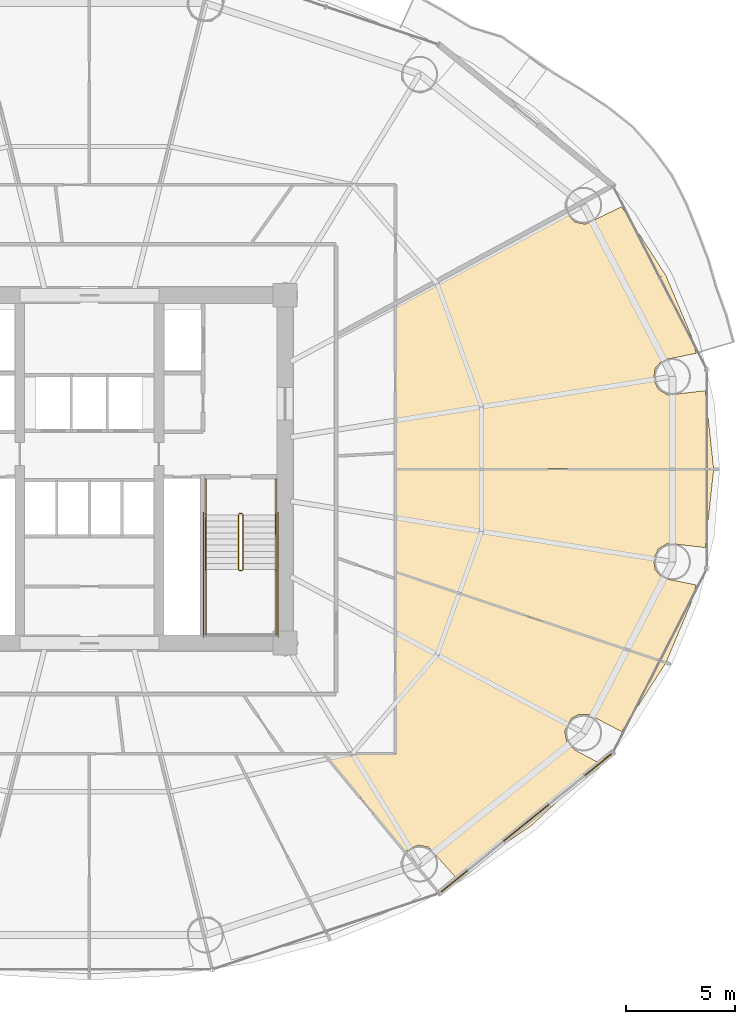
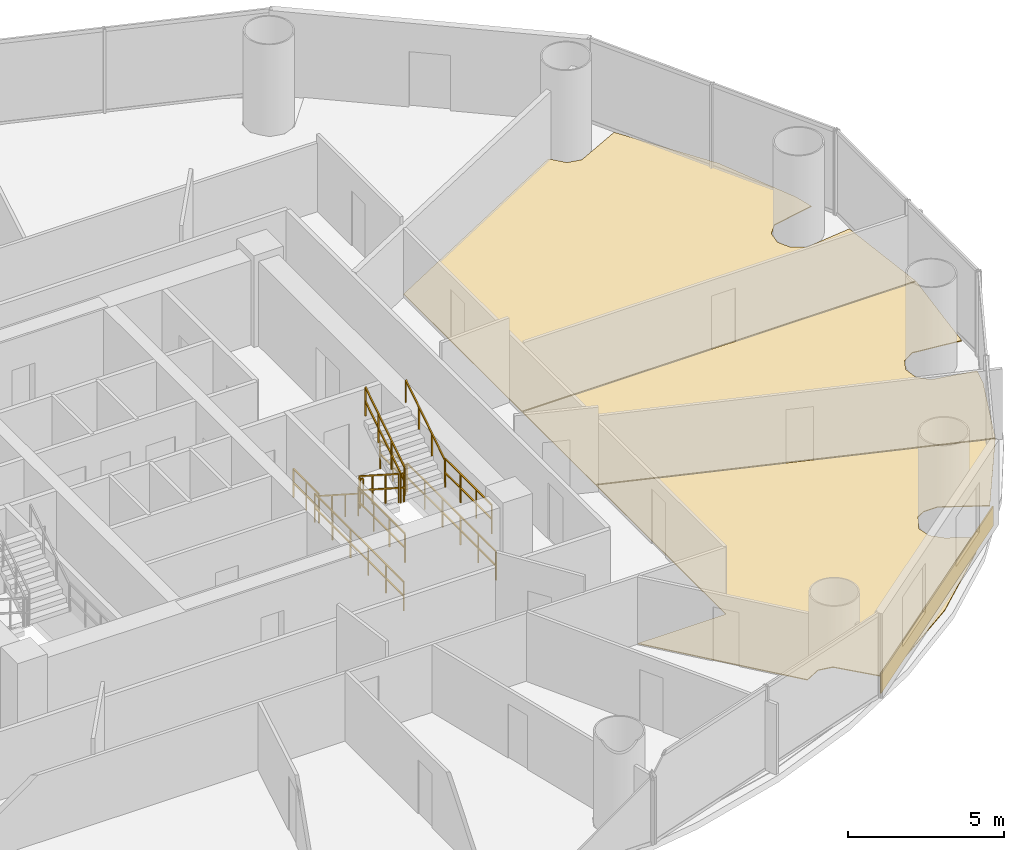
# One storey, part 29 of 30: 12 railings, 4 coverings.
"""IFC4 building model written with IfcOpenShell, lengths in metres."""

from ifc_helpers import new_model, si_unit, direction, frame, origin, origin_2d, place, context, subcontext, project, spatial, polyline, rectangle, outline, extrude, source, transform, mapped, material, layer, layer_set, type_object, element, save


model = new_model("IFC4")

# Units and contexts
model_context = context("Model", 3, precision=1e-05, world=origin(), true_north=direction((-0.2419218956, 0.970295726276)))
body_context = subcontext(model_context, "Body", "Model", "MODEL_VIEW")
ifc_project = project(units=[si_unit("LENGTHUNIT", "METRE"), si_unit("AREAUNIT", "SQUARE_METRE"), si_unit("VOLUMEUNIT", "CUBIC_METRE"), si_unit("PLANEANGLEUNIT", "RADIAN"), si_unit("MASSUNIT", "GRAM", prefix="KILO")], contexts=[model_context])

# Site, building, storey
site_placement = place(None, origin())
site = spatial("IfcSite", under=ifc_project, at=site_placement, CompositionType="ELEMENT")
building_placement = place(site_placement, origin())
building = spatial("IfcBuilding", under=site, at=building_placement, Name="Cobrevalo Terracotta Tower", CompositionType="ELEMENT")
storey_placement = place(building_placement, frame((0.0, 0.0, 56.39990234375)))
storey = spatial("IfcBuildingStorey", under=building, at=storey_placement, Name="L14", CompositionType="ELEMENT", Elevation=56.39990234375)

# Coverings
ifc_material_1 = material(Name="Engineered Brazilian hardwood flooring", Category="wood")
ifc_layer_1 = layer(ifc_material_1, 0.028076171875)
ifc_layer_set_1 = layer_set([ifc_layer_1], Name="Engineered Brazilian hardwood flooring")
covering_type_1 = type_object("IfcCoveringType", Name="Engineered Hardwood Suite Flooring 28", PredefinedType="FLOORING", material=ifc_layer_set_1)
covering_1_placement = place(storey_placement, origin())
element("IfcCovering", 1, at=covering_1_placement, inside=storey, type_object=covering_type_1, Name="Flat L14B Penthouse Family Lounge floor finish", PredefinedType="FLOORING", context=body_context, shape_type="SweptSolid", body=[
    extrude(outline(polyline([(62.488037109375, 14.7255859375), (60.99560546875, 15.503173828125), (60.48486328125, 15.5029296875), (60.181884765625, 15.3408203125), (59.86474609375, 14.74658203125), (59.96484375, 14.24560546875), (60.325439453125, 13.885009765625), (61.34423828125, 13.341064453125), (60.786376953125, 12.666259765625), (58.3095703125, 10.38232421875), (54.843505859375, 8.03271484375), (53.6025390625, 9.412353515625), (53.100341796875, 9.50732421875), (52.531982421875, 9.20751953125), (48.831787109375, 13.695068359375), (52.10498046875, 13.695068359375), (52.10498046875, 22.04443359375), (64.5126953125, 17.8798828125), (62.488037109375, 14.7255859375)])), origin(), (0.0, 0.0, 1.0), 0.030029296875),
])
covering_2_placement = place(storey_placement, origin())
element("IfcCovering", 2, at=covering_2_placement, inside=storey, type_object=covering_type_1, Name="Flat L14B Penthouse Family Lounge floor finish", PredefinedType="FLOORING", context=body_context, shape_type="SweptSolid", body=[
    extrude(outline(polyline([(52.10498046875, 22.086669921875), (52.10498046875, 26.780029296875), (66.71826171875, 26.780029296875), (66.331298828125, 23.18896484375), (64.619384765625, 23.39306640625), (64.178466796875, 23.135009765625), (63.955322265625, 22.67529296875), (64.025146484375, 22.169189453125), (64.3642578125, 21.787109375), (65.909423828125, 21.473876953125), (65.74169921875, 20.791259765625), (64.531494140625, 17.91552734375), (52.10498046875, 22.086669921875)])), origin(), (0.0, 0.0, 1.0), 0.030029296875),
])
covering_3_placement = place(storey_placement, origin())
element("IfcCovering", 3, at=covering_3_placement, inside=storey, type_object=covering_type_1, Name="Flat L14B Private Cinema Room floor finish", PredefinedType="FLOORING", context=body_context, shape_type="SweptSolid", body=[
    extrude(outline(polyline([(59.915283203125, 38.643310546875), (60.325439453125, 38.163330078125), (60.826416015625, 38.063232421875), (62.488037109375, 38.87451171875), (64.534423828125, 35.684326171875), (65.74169921875, 32.80859375), (65.909423828125, 32.126220703125), (64.3642578125, 31.81298828125), (64.025146484375, 31.4306640625), (63.955322265625, 30.924560546875), (64.178466796875, 30.465087890625), (64.619384765625, 30.206787109375), (66.331298828125, 30.4111328125), (66.71826171875, 26.820068359375), (52.10498046875, 26.820068359375), (52.10498046875, 34.41455078125), (59.915283203125, 38.643310546875)])), origin(), (0.0, 0.0, 1.0), 0.030029296875),
])

# Railings
ifc_material_2 = material(Name="Brushed stainless steel", Category="steel")
railing_type_1 = type_object("IfcRailingType", Name="Stainless Steel Stair Handrail 900", PredefinedType="HANDRAIL", material=ifc_material_2)
railing_1_placement = place(storey_placement, frame((43.35498046875, 24.699951171875, 0.18017578125)))
element("IfcRailing", 4, at=railing_1_placement, inside=storey, type_object=railing_type_1, Name="L14 ST-2 stair handrail 1", PredefinedType="HANDRAIL", context=body_context, shape_type="SweptSolid", body=[
    extrude(rectangle(XDim=0.048095703125, YDim=0.048095703125, at=origin_2d()), frame((0.0, 0.0, 0.8759765625), z_axis=(0.0, -0.841199657755, 0.540724639528), x_axis=(1.0, 0.0, 0.0)), (0.0, 0.0, 1.0), 2.995849609375),
    extrude(rectangle(XDim=0.0419921875, YDim=0.0419921875, at=origin_2d()), origin(), (0.0, 0.0, 1.0), 0.851806640625),
    extrude(rectangle(XDim=0.0419921875, YDim=0.0419921875, at=origin_2d()), frame((0.0, -0.840087890625, 0.5400390625)), (0.0, 0.0, 1.0), 0.851806640625),
    extrude(rectangle(XDim=0.0419921875, YDim=0.0419921875, at=origin_2d()), frame((0.0, -1.679931640625, 1.079833984375)), (0.0, 0.0, 1.0), 0.851806640625),
    extrude(rectangle(XDim=0.0419921875, YDim=0.0419921875, at=origin_2d()), frame((0.0, -2.52001953125, 1.619873046875)), (0.0, 0.0, 1.0), 0.851806640625),
])
railing_2_placement = place(storey_placement, frame((46.574951171875, 22.179931640625, 1.97998046875)))
element("IfcRailing", 5, at=railing_2_placement, inside=storey, type_object=railing_type_1, Name="L14 ST-2 stair handrail 2", PredefinedType="HANDRAIL", context=body_context, shape_type="SweptSolid", body=[
    extrude(rectangle(XDim=0.048095703125, YDim=0.048095703125, at=origin_2d()), frame((0.0, 0.0, 0.8759765625), z_axis=(0.0, 0.841162588446, 0.540782303519), x_axis=(-1.0, 0.0, 0.0)), (0.0, 0.0, 1.0), 2.995849609375),
    extrude(rectangle(XDim=0.0419921875, YDim=0.0419921875, at=origin_2d()), origin(), (0.0, 0.0, 1.0), 0.851806640625),
    extrude(rectangle(XDim=0.0419921875, YDim=0.0419921875, at=origin_2d()), frame((0.0, 0.840087890625, 0.5400390625)), (0.0, 0.0, 1.0), 0.851806640625),
    extrude(rectangle(XDim=0.0419921875, YDim=0.0419921875, at=origin_2d()), frame((0.0, 1.679931640625, 1.080078125)), (0.0, 0.0, 1.0), 0.851806640625),
    extrude(rectangle(XDim=0.0419921875, YDim=0.0419921875, at=origin_2d()), frame((0.0, 2.52001953125, 1.6201171875)), (0.0, 0.0, 1.0), 0.851806640625),
])
ifc_material_3 = material(Name="Painted galvanized steel", Category="steel")
railing_type_2 = type_object("IfcRailingType", Name="Stair Well Guard Balustrade 1150", PredefinedType="GUARDRAIL", material=ifc_material_3)
railing_3_placement = place(storey_placement, frame((44.85498046875, 24.699951171875, 0.18017578125)))
element("IfcRailing", 6, at=railing_3_placement, inside=storey, type_object=railing_type_2, Name="L14 ST-2 stair guard 1", PredefinedType="GUARDRAIL", context=body_context, shape_type="SweptSolid", body=[
    extrude(rectangle(XDim=0.048095703125, YDim=0.048095703125, at=origin_2d()), frame((0.0, 0.0, 1.1259765625), z_axis=(0.0, -0.841199657755, 0.540724639528), x_axis=(1.0, 0.0, 0.0)), (0.0, 0.0, 1.0), 2.995849609375),
    extrude(rectangle(XDim=0.048095703125, YDim=0.048095703125, at=origin_2d()), frame((0.0, 0.0, 0.574951171875), z_axis=(0.0, -0.841199657755, 0.540724639528), x_axis=(1.0, 0.0, 0.0)), (0.0, 0.0, 1.0), 2.995849609375),
    extrude(rectangle(XDim=0.0419921875, YDim=0.0419921875, at=origin_2d()), origin(), (0.0, 0.0, 1.0), 1.101806640625),
    extrude(rectangle(XDim=0.0419921875, YDim=0.0419921875, at=origin_2d()), frame((0.0, -0.840087890625, 0.5400390625)), (0.0, 0.0, 1.0), 1.101806640625),
    extrude(rectangle(XDim=0.0419921875, YDim=0.0419921875, at=origin_2d()), frame((0.0, -1.679931640625, 1.079833984375)), (0.0, 0.0, 1.0), 1.101806640625),
    extrude(rectangle(XDim=0.0419921875, YDim=0.0419921875, at=origin_2d()), frame((0.0, -2.52001953125, 1.619873046875)), (0.0, 0.0, 1.0), 1.101806640625),
])
railing_4_placement = place(storey_placement, frame((44.905029296875, 22.1298828125, 1.800048828125)))
element("IfcRailing", 7, at=railing_4_placement, inside=storey, type_object=railing_type_2, Name="L14 ST-2 stair guard 2", PredefinedType="GUARDRAIL", context=body_context, shape_type="SweptSolid", body=[
    extrude(rectangle(XDim=0.048095703125, YDim=0.048095703125, at=origin_2d()), frame((0.0, 0.0, 1.1259765625), z_axis=(1.0, 0.0, 0.0), x_axis=(0.0, 1.0, 0.0)), (0.0, 0.0, 1.0), 0.119873046875),
    extrude(rectangle(XDim=0.048095703125, YDim=0.048095703125, at=origin_2d()), frame((0.0, 0.0, 0.574951171875), z_axis=(1.0, 0.0, 0.0), x_axis=(0.0, 1.0, 0.0)), (0.0, 0.0, 1.0), 0.119873046875),
    extrude(rectangle(XDim=0.0419921875, YDim=0.0419921875, at=origin_2d()), origin(), (0.0, 0.0, 1.0), 1.101806640625),
    extrude(rectangle(XDim=0.0419921875, YDim=0.0419921875, at=origin_2d()), frame((0.119873046875, 0.0, 0.0)), (0.0, 0.0, 1.0), 1.101806640625),
])
for number, where, name in (
    (8, (43.35498046875, 22.179931640625, 1.800048828125), "L14 ST-2 stair guard 3"),
    (9, (46.574951171875, 22.179931640625, 1.800048828125), "L14 ST-2 stair guard 4"),
):
    element("IfcRailing", number, at=place(storey_placement, frame(where)), inside=storey, type_object=railing_type_2, Name=name, PredefinedType="GUARDRAIL", context=body_context, shape_type="SweptSolid", body=[
        extrude(rectangle(XDim=0.048095703125, YDim=0.048095703125, at=origin_2d()), frame((0.0, 0.0, 1.1259765625), z_axis=(0.0, -1.0, 0.0), x_axis=(1.0, 0.0, 0.0)), (0.0, 0.0, 1.0), 3.0048828125),
        extrude(rectangle(XDim=0.048095703125, YDim=0.048095703125, at=origin_2d()), frame((0.0, 0.0, 0.574951171875), z_axis=(0.0, -1.0, 0.0), x_axis=(1.0, 0.0, 0.0)), (0.0, 0.0, 1.0), 3.0048828125),
        extrude(rectangle(XDim=0.0419921875, YDim=0.0419921875, at=origin_2d()), origin(), (0.0, 0.0, 1.0), 1.101806640625),
        extrude(rectangle(XDim=0.0419921875, YDim=0.0419921875, at=origin_2d()), frame((0.0, -1.001708984375, 0.0)), (0.0, 0.0, 1.0), 1.101806640625),
        extrude(rectangle(XDim=0.0419921875, YDim=0.0419921875, at=origin_2d()), frame((0.0, -2.003173828125, 0.0)), (0.0, 0.0, 1.0), 1.101806640625),
        extrude(rectangle(XDim=0.0419921875, YDim=0.0419921875, at=origin_2d()), frame((0.0, -3.0048828125, 0.0)), (0.0, 0.0, 1.0), 1.101806640625),
    ])
railing_5_placement = place(storey_placement, frame((45.074951171875, 22.179931640625, 1.97998046875)))
element("IfcRailing", 10, at=railing_5_placement, inside=storey, type_object=railing_type_2, Name="L14 ST-2 stair guard 6", PredefinedType="GUARDRAIL", context=body_context, shape_type="SweptSolid", body=[
    extrude(rectangle(XDim=0.048095703125, YDim=0.048095703125, at=origin_2d()), frame((0.0, 0.0, 1.1259765625), z_axis=(0.0, 0.841162588446, 0.540782303519), x_axis=(-1.0, 0.0, 0.0)), (0.0, 0.0, 1.0), 2.995849609375),
    extrude(rectangle(XDim=0.048095703125, YDim=0.048095703125, at=origin_2d()), frame((0.0, 0.0, 0.574951171875), z_axis=(0.0, 0.841162588446, 0.540782303519), x_axis=(-1.0, 0.0, 0.0)), (0.0, 0.0, 1.0), 2.995849609375),
    extrude(rectangle(XDim=0.0419921875, YDim=0.0419921875, at=origin_2d()), origin(), (0.0, 0.0, 1.0), 1.101806640625),
    extrude(rectangle(XDim=0.0419921875, YDim=0.0419921875, at=origin_2d()), frame((0.0, 0.840087890625, 0.5400390625)), (0.0, 0.0, 1.0), 1.101806640625),
    extrude(rectangle(XDim=0.0419921875, YDim=0.0419921875, at=origin_2d()), frame((0.0, 1.679931640625, 1.080078125)), (0.0, 0.0, 1.0), 1.101806640625),
    extrude(rectangle(XDim=0.0419921875, YDim=0.0419921875, at=origin_2d()), frame((0.0, 2.52001953125, 1.6201171875)), (0.0, 0.0, 1.0), 1.101806640625),
])
railing_6_placement = place(storey_placement, frame((44.905029296875, 24.75, 0.0)))
element("IfcRailing", 11, at=railing_6_placement, inside=storey, type_object=railing_type_2, Name="L14 ST-2 stair guard 7", PredefinedType="GUARDRAIL", context=body_context, shape_type="SweptSolid", body=[
    extrude(rectangle(XDim=0.048095703125, YDim=0.048095703125, at=origin_2d()), frame((0.0, 0.0, 1.1259765625), z_axis=(1.0, 0.0, 0.0), x_axis=(0.0, 1.0, 0.0)), (0.0, 0.0, 1.0), 0.119873046875),
    extrude(rectangle(XDim=0.048095703125, YDim=0.048095703125, at=origin_2d()), frame((0.0, 0.0, 0.574951171875), z_axis=(1.0, 0.0, 0.0), x_axis=(0.0, 1.0, 0.0)), (0.0, 0.0, 1.0), 0.119873046875),
    extrude(rectangle(XDim=0.0419921875, YDim=0.0419921875, at=origin_2d()), origin(), (0.0, 0.0, 1.0), 1.101806640625),
    extrude(rectangle(XDim=0.0419921875, YDim=0.0419921875, at=origin_2d()), frame((0.119873046875, 0.0, 0.0)), (0.0, 0.0, 1.0), 1.101806640625),
])
for number, where, name in (
    (12, (43.35498046875, 26.35009765625, 0.0), "L14 ST-2 stair guard 8"),
    (13, (46.574951171875, 26.35009765625, 0.0), "L14 ST-2 stair guard 9"),
):
    element("IfcRailing", number, at=place(storey_placement, frame(where)), inside=storey, type_object=railing_type_2, Name=name, PredefinedType="GUARDRAIL", context=body_context, shape_type="SweptSolid", body=[
        extrude(rectangle(XDim=0.048095703125, YDim=0.048095703125, at=origin_2d()), frame((0.0, 0.0, 1.1259765625), z_axis=(0.0, -1.0, 0.0), x_axis=(1.0, 0.0, 0.0)), (0.0, 0.0, 1.0), 1.650146484375),
        extrude(rectangle(XDim=0.048095703125, YDim=0.048095703125, at=origin_2d()), frame((0.0, 0.0, 0.574951171875), z_axis=(0.0, -1.0, 0.0), x_axis=(1.0, 0.0, 0.0)), (0.0, 0.0, 1.0), 1.650146484375),
        extrude(rectangle(XDim=0.0419921875, YDim=0.0419921875, at=origin_2d()), origin(), (0.0, 0.0, 1.0), 1.101806640625),
        extrude(rectangle(XDim=0.0419921875, YDim=0.0419921875, at=origin_2d()), frame((0.0, -0.8251953125, 0.0)), (0.0, 0.0, 1.0), 1.101806640625),
        extrude(rectangle(XDim=0.0419921875, YDim=0.0419921875, at=origin_2d()), frame((0.0, -1.650146484375, 0.0)), (0.0, 0.0, 1.0), 1.101806640625),
    ])
for number, where, name in (
    (14, (43.2548828125, 24.800048828125, 0.0), "L14 ST-2 stair guard 10"),
    (15, (46.675048828125, 24.800048828125, 0.0), "L14 ST-2 stair guard 11"),
):
    element("IfcRailing", number, at=place(storey_placement, frame(where)), inside=storey, type_object=railing_type_2, Name=name, PredefinedType="GUARDRAIL", context=body_context, shape_type="SweptSolid", body=[
        extrude(rectangle(XDim=0.048095703125, YDim=0.048095703125, at=origin_2d()), frame((0.0, 0.0, 1.1259765625), z_axis=(0.0, -1.0, 0.0), x_axis=(1.0, 0.0, 0.0)), (0.0, 0.0, 1.0), 5.72509765625),
        extrude(rectangle(XDim=0.048095703125, YDim=0.048095703125, at=origin_2d()), frame((0.0, 0.0, 0.574951171875), z_axis=(0.0, -1.0, 0.0), x_axis=(1.0, 0.0, 0.0)), (0.0, 0.0, 1.0), 5.72509765625),
        extrude(rectangle(XDim=0.0419921875, YDim=0.0419921875, at=origin_2d()), origin(), (0.0, 0.0, 1.0), 1.101806640625),
        extrude(rectangle(XDim=0.0419921875, YDim=0.0419921875, at=origin_2d()), frame((0.0, -1.14501953125, 0.0)), (0.0, 0.0, 1.0), 1.101806640625),
        extrude(rectangle(XDim=0.0419921875, YDim=0.0419921875, at=origin_2d()), frame((0.0, -2.2900390625, 0.0)), (0.0, 0.0, 1.0), 1.101806640625),
        extrude(rectangle(XDim=0.0419921875, YDim=0.0419921875, at=origin_2d()), frame((0.0, -3.43505859375, 0.0)), (0.0, 0.0, 1.0), 1.101806640625),
        extrude(rectangle(XDim=0.0419921875, YDim=0.0419921875, at=origin_2d()), frame((0.0, -4.580078125, 0.0)), (0.0, 0.0, 1.0), 1.101806640625),
        extrude(rectangle(XDim=0.0419921875, YDim=0.0419921875, at=origin_2d()), frame((0.0, -5.72509765625, 0.0)), (0.0, 0.0, 1.0), 1.101806640625),
    ])

# Covering
ifc_material_4 = material(Name="Glazed terracotta facade cladding tile", Category="masonry")
ifc_layer_2 = layer(ifc_material_4, 0.044921875)
ifc_layer_set_2 = layer_set([ifc_layer_2], Name="Glazed terracotta facade cladding tile")
covering_type_2 = type_object("IfcCoveringType", Name="Architectural terracotta rainscreen spandrel cladding 45 mm", PredefinedType="CLADDING", material=ifc_layer_set_2)
shared_shape = source(origin(), body_context, "Body", "SweptSolid", [
    extrude(rectangle(XDim=10.086669921875, YDim=0.044921875, at=origin_2d()), origin(), (0.0, 0.0, 1.0), 0.760009765625),
])
covering_4_placement = place(storey_placement, frame((58.09130859375, 10.523193359375, 0.0400390625), z_axis=(0.0, 0.0, 1.0), x_axis=(0.777007547884, 0.629491279154, 0.0)))
element("IfcCovering", 16, at=covering_4_placement, inside=storey, type_object=covering_type_2, Name="L14 terracotta spandrel cladding S14", PredefinedType="CLADDING", context=body_context, shape_type="MappedRepresentation", body=[
    mapped(shared_shape, transform((0.0, 0.0, 0.0), scale=1.0)),
])

save(model, "model.ifc")
